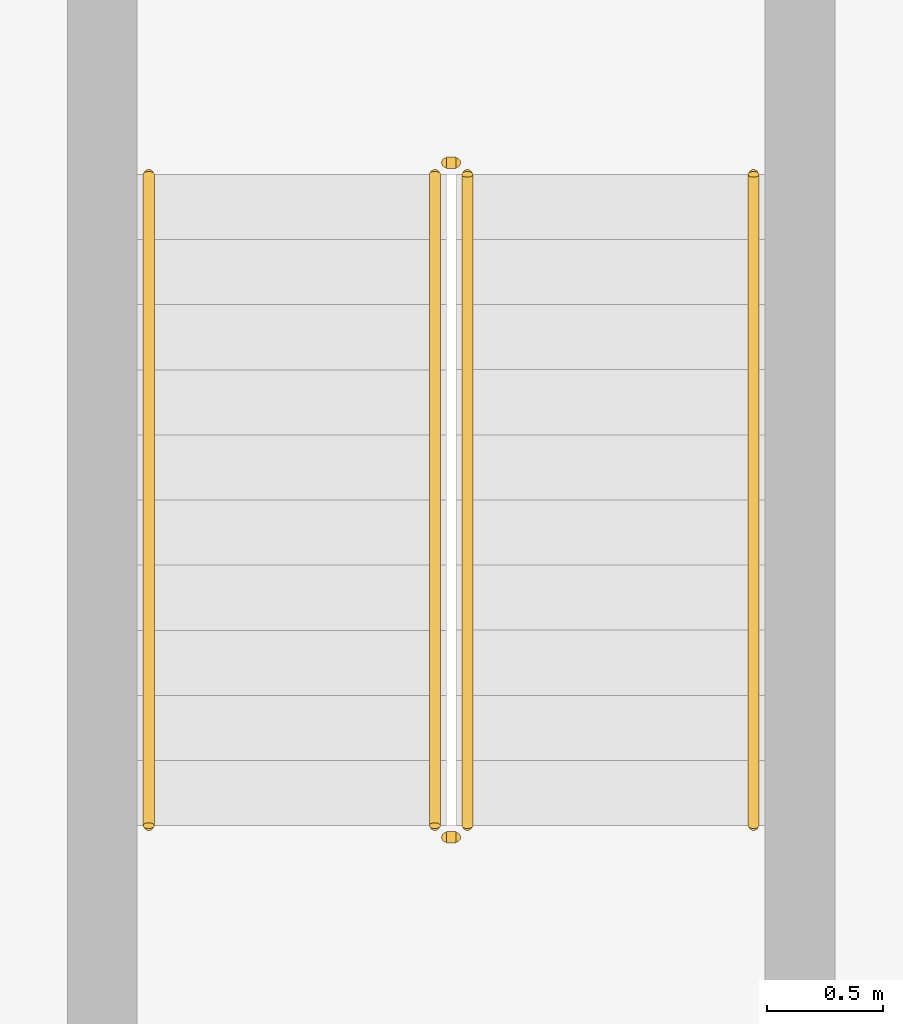
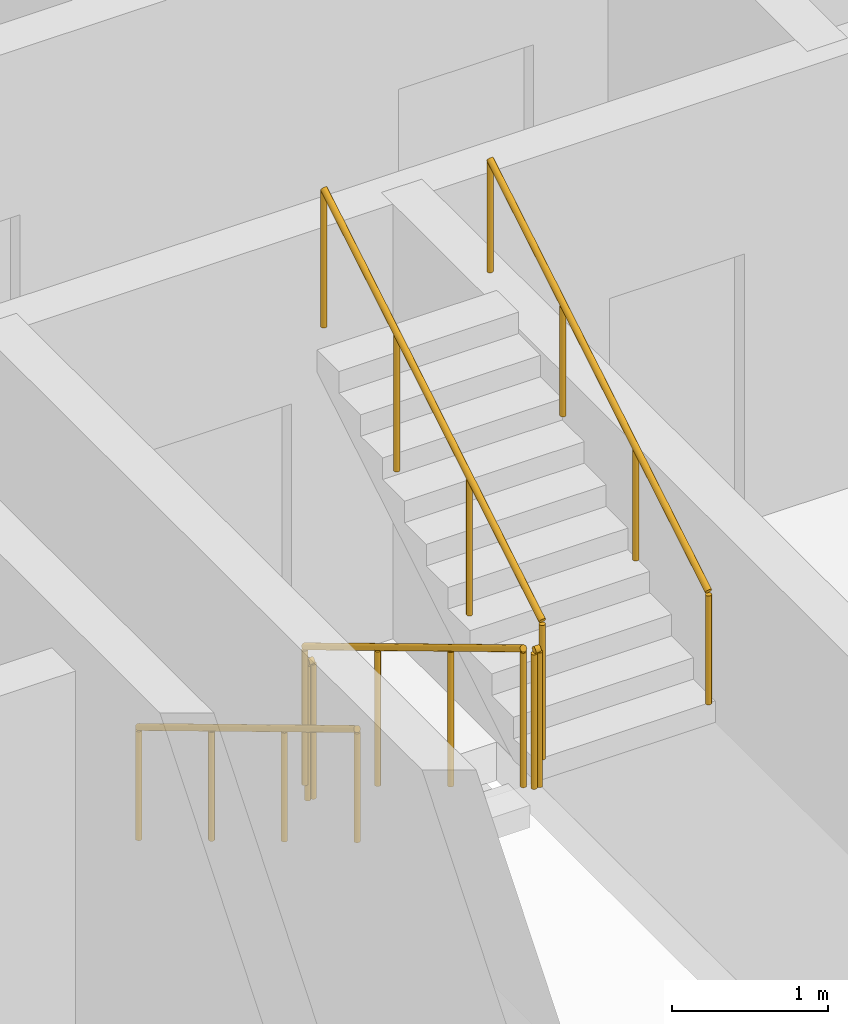
# One storey, part 17 of 18: 6 railings.
"""IFC4 building model written with IfcOpenShell, lengths in metres."""

from ifc_helpers import new_model, si_unit, direction, frame, origin, origin_2d, place, context, subcontext, project, spatial, circle, extrude, material, type_object, element, save


model = new_model("IFC4")

# Units and contexts
model_context = context("Model", 3, precision=1e-05, world=origin(), true_north=direction((0.0, 1.0)))
body_context = subcontext(model_context, "Body", "Model", "MODEL_VIEW")
ifc_project = project(units=[si_unit("LENGTHUNIT", "METRE"), si_unit("AREAUNIT", "SQUARE_METRE"), si_unit("VOLUMEUNIT", "CUBIC_METRE"), si_unit("PLANEANGLEUNIT", "RADIAN"), si_unit("MASSUNIT", "GRAM", prefix="KILO")], contexts=[model_context])

# Site, building, storey
site_placement = place(None, origin())
site = spatial("IfcSite", under=ifc_project, at=site_placement, CompositionType="ELEMENT")
building_placement = place(site_placement, origin())
building = spatial("IfcBuilding", under=site, at=building_placement, Name="Ogive Portal Towers", CompositionType="ELEMENT")
storey_placement = place(building_placement, frame((0.0, 0.0, 236.5)))
storey = spatial("IfcBuildingStorey", under=building, at=storey_placement, Name="L59", CompositionType="ELEMENT", Elevation=236.5)

# Railings
ifc_material_1 = material(Name="Stainless steel balustrade", Category="steel")
railing_type_1 = type_object("IfcRailingType", Name="INT-GUARD", PredefinedType="GUARDRAIL", material=ifc_material_1)
railing_1_placement = place(storey_placement, frame((88.280029296875, 29.169921875, 0.168212890625)))
element("IfcRailing", 1, at=railing_1_placement, inside=storey, type_object=railing_type_1, Name="L59 ST-A4 stair guard 1", PredefinedType="GUARDRAIL", context=body_context, shape_type="SweptSolid", body=[
    extrude(circle(Radius=0.02392578125, at=origin_2d()), frame((0.0, 0.0, 1.076171875), z_axis=(0.0, -0.857222391501, 0.514946377315), x_axis=(1.0, 0.0, 0.0)), (0.0, 0.0, 1.0), 3.26611328125),
    extrude(circle(Radius=0.02099609375, at=origin_2d()), origin(), (0.0, 0.0, 1.0), 1.052001953125),
    extrude(circle(Radius=0.02099609375, at=origin_2d()), frame((0.0, -0.933349609375, 0.560546875)), (0.0, 0.0, 1.0), 1.052001953125),
    extrude(circle(Radius=0.02099609375, at=origin_2d()), frame((0.0, -1.866455078125, 1.121337890625)), (0.0, 0.0, 1.0), 1.052001953125),
    extrude(circle(Radius=0.02099609375, at=origin_2d()), frame((0.0, -2.7998046875, 1.681884765625)), (0.0, 0.0, 1.0), 1.052001953125),
])
railing_2_placement = place(storey_placement, frame((88.330078125, 26.320068359375, 1.85009765625)))
element("IfcRailing", 2, at=railing_2_placement, inside=storey, type_object=railing_type_1, Name="L59 ST-A4 stair guard 2", PredefinedType="GUARDRAIL", context=body_context, shape_type="SweptSolid", body=[
    extrude(circle(Radius=0.02392578125, at=origin_2d()), frame((0.0, 0.0, 1.076171875), z_axis=(1.0, 0.0, 0.0), x_axis=(0.0, 1.0, 0.0)), (0.0, 0.0, 1.0), 0.0400390625),
    extrude(circle(Radius=0.02099609375, at=origin_2d()), origin(), (0.0, 0.0, 1.0), 1.052001953125),
    extrude(circle(Radius=0.02099609375, at=origin_2d()), frame((0.0400390625, 0.0, 0.0)), (0.0, 0.0, 1.0), 1.052001953125),
])
railing_3_placement = place(storey_placement, frame((88.419921875, 26.3701171875, 2.01806640625)))
element("IfcRailing", 3, at=railing_3_placement, inside=storey, type_object=railing_type_1, Name="L59 ST-A4 stair guard 3", PredefinedType="GUARDRAIL", context=body_context, shape_type="SweptSolid", body=[
    extrude(circle(Radius=0.02392578125, at=origin_2d()), frame((0.0, 0.0, 1.076171875), z_axis=(0.0, 0.857222391501, 0.514946377315), x_axis=(-1.0, 0.0, 0.0)), (0.0, 0.0, 1.0), 3.26611328125),
    extrude(circle(Radius=0.02099609375, at=origin_2d()), origin(), (0.0, 0.0, 1.0), 1.052001953125),
    extrude(circle(Radius=0.02099609375, at=origin_2d()), frame((0.0, 0.933349609375, 0.560546875)), (0.0, 0.0, 1.0), 1.052001953125),
    extrude(circle(Radius=0.02099609375, at=origin_2d()), frame((0.0, 1.866455078125, 1.121337890625)), (0.0, 0.0, 1.0), 1.052001953125),
    extrude(circle(Radius=0.02099609375, at=origin_2d()), frame((0.0, 2.7998046875, 1.681884765625)), (0.0, 0.0, 1.0), 1.052001953125),
])
railing_4_placement = place(storey_placement, frame((88.330078125, 29.219970703125, 0.0)))
element("IfcRailing", 4, at=railing_4_placement, inside=storey, type_object=railing_type_1, Name="L59 ST-A4 stair guard 4", PredefinedType="GUARDRAIL", context=body_context, shape_type="SweptSolid", body=[
    extrude(circle(Radius=0.02392578125, at=origin_2d()), frame((0.0, 0.0, 1.076171875), z_axis=(1.0, 0.0, 0.0), x_axis=(0.0, 1.0, 0.0)), (0.0, 0.0, 1.0), 0.0400390625),
    extrude(circle(Radius=0.02099609375, at=origin_2d()), origin(), (0.0, 0.0, 1.0), 1.052001953125),
    extrude(circle(Radius=0.02099609375, at=origin_2d()), frame((0.0400390625, 0.0, 0.0)), (0.0, 0.0, 1.0), 1.052001953125),
])
ifc_material_2 = material(Name="Stainless steel handrail", Category="steel")
railing_type_2 = type_object("IfcRailingType", Name="INT-HANDRAIL", PredefinedType="HANDRAIL", material=ifc_material_2)
railing_5_placement = place(storey_placement, frame((87.050048828125, 29.169921875, 0.168212890625)))
element("IfcRailing", 5, at=railing_5_placement, inside=storey, type_object=railing_type_2, Name="L59 ST-A4 stair handrail 1", PredefinedType="HANDRAIL", context=body_context, shape_type="SweptSolid", body=[
    extrude(circle(Radius=0.02392578125, at=origin_2d()), frame((0.0, 0.0, 0.8759765625), z_axis=(0.0, -0.857222391501, 0.514946377315), x_axis=(1.0, 0.0, 0.0)), (0.0, 0.0, 1.0), 3.26611328125),
    extrude(circle(Radius=0.02099609375, at=origin_2d()), origin(), (0.0, 0.0, 1.0), 0.851806640625),
    extrude(circle(Radius=0.02099609375, at=origin_2d()), frame((0.0, -0.933349609375, 0.560546875)), (0.0, 0.0, 1.0), 0.851806640625),
    extrude(circle(Radius=0.02099609375, at=origin_2d()), frame((0.0, -1.866455078125, 1.121337890625)), (0.0, 0.0, 1.0), 0.851806640625),
    extrude(circle(Radius=0.02099609375, at=origin_2d()), frame((0.0, -2.7998046875, 1.681884765625)), (0.0, 0.0, 1.0), 0.851806640625),
])
railing_6_placement = place(storey_placement, frame((89.64990234375, 26.3701171875, 2.01806640625)))
element("IfcRailing", 6, at=railing_6_placement, inside=storey, type_object=railing_type_2, Name="L59 ST-A4 stair handrail 2", PredefinedType="HANDRAIL", context=body_context, shape_type="SweptSolid", body=[
    extrude(circle(Radius=0.02392578125, at=origin_2d()), frame((0.0, 0.0, 0.8759765625), z_axis=(0.0, 0.857222391501, 0.514946377315), x_axis=(-1.0, 0.0, 0.0)), (0.0, 0.0, 1.0), 3.26611328125),
    extrude(circle(Radius=0.02099609375, at=origin_2d()), origin(), (0.0, 0.0, 1.0), 0.851806640625),
    extrude(circle(Radius=0.02099609375, at=origin_2d()), frame((0.0, 0.933349609375, 0.560546875)), (0.0, 0.0, 1.0), 0.851806640625),
    extrude(circle(Radius=0.02099609375, at=origin_2d()), frame((0.0, 1.866455078125, 1.121337890625)), (0.0, 0.0, 1.0), 0.851806640625),
    extrude(circle(Radius=0.02099609375, at=origin_2d()), frame((0.0, 2.7998046875, 1.681884765625)), (0.0, 0.0, 1.0), 0.851806640625),
])

save(model, "model.ifc")
